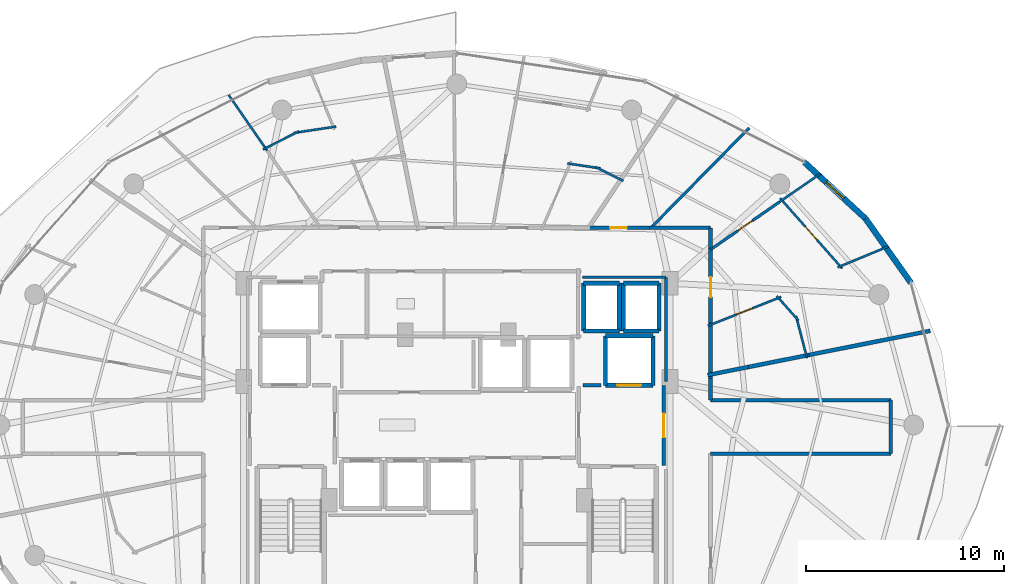
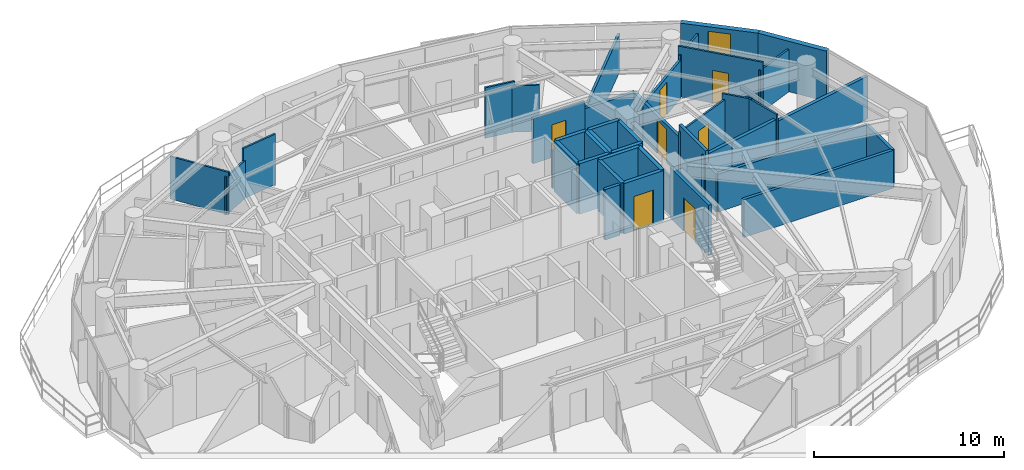
# One storey, part 24 of 29: 43 walls, 7 doors, 1 window, 8 openings.
"""IFC4 building model written with IfcOpenShell, lengths in metres."""

import ifcopenshell
import ifcopenshell.guid

model = None  # the IFC model being written
_history = None  # IfcOwnerHistory: only IFC2X3 demands one
_inside = {}  # id of a spatial element -> (the spatial element, [elements in it])
_under = {}  # id of a project, library or spatial element -> (it, [spatial elements below it])
_declared = {}  # id of a project -> (the project, [libraries it declares])
_typed = {}  # id of a type object -> (the type object, [elements of that type])
_made_of = {}  # id of a material, layer set ... -> (it, [elements and type objects made of it])


def new_model(schema):
    """Start an empty IFC model of exactly this schema.

    Asked for "IFC4X3", IfcOpenShell would pick the latest addendum, in which some entities
    have other attributes; the version numbers below select the first issue.
    IFC2X3 requires an IfcOwnerHistory on every rooted entity: one is made here for all.
    """
    global model, _history
    if schema == "IFC4X3":
        model = ifcopenshell.file(schema_version=(4, 3, 0, 0))
    else:
        model = ifcopenshell.file(schema=schema)
    _inside.clear()
    _under.clear()
    _declared.clear()
    _typed.clear()
    _made_of.clear()
    _history = None
    if model.schema == "IFC2X3":
        org = make("IfcOrganization", Name="unknown")
        user = make(
            "IfcPersonAndOrganization",
            ThePerson=make("IfcPerson", FamilyName="unknown"),
            TheOrganization=org,
        )
        app = make(
            "IfcApplication",
            ApplicationDeveloper=org,
            Version="unknown",
            ApplicationFullName="unknown",
            ApplicationIdentifier="unknown",
        )
        _history = make(
            "IfcOwnerHistory",
            OwningUser=user,
            OwningApplication=app,
            ChangeAction="ADDED",
            CreationDate=0,
        )
    return model


def make(cls, **values):
    """One entity of the class cls with the attributes given. An attribute that is None is left unset."""
    return model.create_entity(
        cls, **{name: value for name, value in values.items() if value is not None}
    )


def rooted(cls, **values):
    """An entity with a GlobalId (a new one), such as an element, a storey or a relation."""
    return make(cls, GlobalId=ifcopenshell.guid.new(), OwnerHistory=_history, **values)


def si_unit(unit_type, name, prefix=None):
    """IfcSIUnit, for example si_unit("LENGTHUNIT", "METRE", prefix="MILLI")."""
    return make("IfcSIUnit", UnitType=unit_type, Prefix=prefix, Name=name)


def assignment(units):
    """IfcUnitAssignment: the units of a project."""
    return None if units is None else make("IfcUnitAssignment", Units=units)


def point(xyz):
    """IfcCartesianPoint."""
    return None if xyz is None else make("IfcCartesianPoint", Coordinates=xyz)


def direction(xyz):
    """IfcDirection."""
    return None if xyz is None else make("IfcDirection", DirectionRatios=xyz)


def frame(location, z_axis=None, x_axis=None):
    """IfcAxis2Placement3D, a coordinate frame: its origin and axes. An axis left out is left unset."""
    return make(
        "IfcAxis2Placement3D",
        Location=point(location),
        Axis=direction(z_axis),
        RefDirection=direction(x_axis),
    )


def frame_2d(location, x_axis=None):
    """IfcAxis2Placement2D, a coordinate frame in the plane: its origin and x axis."""
    return make(
        "IfcAxis2Placement2D", Location=point(location), RefDirection=direction(x_axis)
    )


def origin():
    """The frame at (0, 0, 0) with its axes left unset."""
    return frame((0.0, 0.0, 0.0))


def place(relative_to, where):
    """IfcLocalPlacement: puts the frame where relative to a parent placement (None: the world)."""
    return make(
        "IfcLocalPlacement", PlacementRelTo=relative_to, RelativePlacement=where
    )


def context(
    kind, dimensions, precision=None, world=None, true_north=None, identifier=None
):
    """IfcGeometricRepresentationContext, for example the 3D "Model" context."""
    return make(
        "IfcGeometricRepresentationContext",
        ContextIdentifier=identifier,
        ContextType=kind,
        CoordinateSpaceDimension=dimensions,
        Precision=precision,
        WorldCoordinateSystem=world,
        TrueNorth=true_north,
    )


def subcontext(parent, identifier, kind, view, scale=None):
    """IfcGeometricRepresentationSubContext, for example "Body" below "Model"."""
    return make(
        "IfcGeometricRepresentationSubContext",
        ContextIdentifier=identifier,
        ContextType=kind,
        ParentContext=parent,
        TargetScale=scale,
        TargetView=view,
    )


def project(units=None, contexts=None):
    """IfcProject with its units and contexts."""
    return rooted(
        "IfcProject",
        Name="project",
        RepresentationContexts=contexts,
        UnitsInContext=assignment(units),
    )


def spatial(cls, under=None, at=None, **own):
    """A site, building, storey or space (cls), placed at a placement, below another one or the project."""
    s = rooted(cls, ObjectPlacement=at, **own)
    if under is not None:
        _under.setdefault(under.id(), (under, []))[1].append(s)
    return s


def profile(cls, at=None, kind="AREA", **sizes):
    """A parametric profile (cls). Its sizes go by their IFC names, for example OverallWidth=200.0."""
    return make(cls, ProfileType=kind, Position=at, **sizes)


def rectangle(**sizes):
    """IfcRectangleProfileDef."""
    return profile("IfcRectangleProfileDef", **sizes)


def extrude(swept, where, along, depth):
    """IfcExtrudedAreaSolid: the profile swept, set in the frame where, extruded along a direction by depth."""
    return make(
        "IfcExtrudedAreaSolid",
        SweptArea=swept,
        Position=where,
        ExtrudedDirection=direction(along),
        Depth=depth,
    )


def shape(context_of_items, identifier, shape_type, items):
    """IfcShapeRepresentation: the items that make up one representation, for example the "Body"."""
    return make(
        "IfcShapeRepresentation",
        ContextOfItems=context_of_items,
        RepresentationIdentifier=identifier,
        RepresentationType=shape_type,
        Items=items,
    )


def material(Name=None, Category=None):
    """IfcMaterial."""
    return make("IfcMaterial", Name=Name, Category=Category)


def layer(
    of_material, thickness, ventilated=None, Name=None, Category=None, Priority=None
):
    """IfcMaterialLayer: one layer of a wall or slab, of a material (None: an air gap)."""
    return make(
        "IfcMaterialLayer",
        Material=of_material,
        LayerThickness=thickness,
        IsVentilated=ventilated,
        Name=Name,
        Category=Category,
        Priority=Priority,
    )


def layer_set(layers, Name=None):
    """IfcMaterialLayerSet."""
    return make("IfcMaterialLayerSet", MaterialLayers=layers, LayerSetName=Name)


def made_of(thing, what):
    """Note that an element or type object is made of a material, layer set ...; save() writes the relation."""
    if what is not None:
        _made_of.setdefault(what.id(), (what, []))[1].append(thing)
    return thing


def type_object(cls, material=None, **own):
    """A type object (cls), such as IfcWallType, which elements share."""
    return made_of(rooted(cls, **own), material)


def element(
    cls,
    number,
    at=None,
    inside=None,
    cuts=None,
    type_object=None,
    material=None,
    context=None,
    identifier="Body",
    shape_type=None,
    held_by="IfcProductDefinitionShape",
    body=None,
    shapes=None,
    **own,
):
    """One element of the class cls, such as IfcWall. Its Tag is "e" and its number.

    at: its placement. inside: the storey or other place that contains it. cuts: it is an
    opening in that element (IfcRelVoidsElement). A single representation is given by context,
    identifier, shape_type and body (its items); several are given by shapes. held_by: the class
    of the entity that holds the representations. save() writes the other relations.
    """
    e = rooted(cls, Tag="e%d" % number, ObjectPlacement=at, **own)
    if body is not None:
        shapes = [shape(context, identifier, shape_type, body)]
    if shapes is not None:
        e.Representation = make(held_by, Representations=shapes)
    if inside is not None:
        _inside.setdefault(inside.id(), (inside, []))[1].append(e)
    if cuts is not None:
        rooted(
            "IfcRelVoidsElement", RelatingBuildingElement=cuts, RelatedOpeningElement=e
        )
    if type_object is not None:
        _typed.setdefault(type_object.id(), (type_object, []))[1].append(e)
    return made_of(e, material)


def fill(opening, filler):
    """IfcRelFillsElement: the door or window that sits in an opening."""
    return rooted(
        "IfcRelFillsElement",
        RelatingOpeningElement=opening,
        RelatedBuildingElement=filler,
    )


def aggregate(whole, parts):
    """IfcRelAggregates: a whole, such as a stair, and the parts it consists of."""
    return rooted("IfcRelAggregates", RelatingObject=whole, RelatedObjects=parts)


def save(model, path):
    """Write the relations noted so far, then the file.

    IfcRelAggregates (storeys below a building ...), IfcRelContainedInSpatialStructure (elements
    in a storey), IfcRelDefinesByType, IfcRelAssociatesMaterial and IfcRelDeclares: one each for
    every whole, place, type object, material and project.
    """
    for whole, parts in _under.values():
        aggregate(whole, parts)
    for where, things in _inside.values():
        rooted(
            "IfcRelContainedInSpatialStructure",
            RelatedElements=things,
            RelatingStructure=where,
        )
    for kind, things in _typed.values():
        rooted("IfcRelDefinesByType", RelatedObjects=things, RelatingType=kind)
    for what, things in _made_of.values():
        rooted("IfcRelAssociatesMaterial", RelatedObjects=things, RelatingMaterial=what)
    for by, libraries in _declared.values():
        rooted("IfcRelDeclares", RelatingContext=by, RelatedDefinitions=libraries)
    model.write(path)


model = new_model("IFC4")

# Units and contexts
model_context = context("Model", 3, precision=1e-05, world=origin(), true_north=direction((0.0, 1.0)))
body_context = subcontext(model_context, "Body", "Model", "MODEL_VIEW")
ifc_project = project(units=[si_unit("LENGTHUNIT", "METRE"), si_unit("AREAUNIT", "SQUARE_METRE"), si_unit("VOLUMEUNIT", "CUBIC_METRE"), si_unit("PLANEANGLEUNIT", "RADIAN"), si_unit("MASSUNIT", "GRAM", prefix="KILO")], contexts=[model_context])

# Site, building, storey
site_placement = place(None, origin())
site = spatial("IfcSite", under=ifc_project, at=site_placement, CompositionType="ELEMENT")
building_placement = place(site_placement, origin())
building = spatial("IfcBuilding", under=site, at=building_placement, Name="Vorneva Point Tower", CompositionType="ELEMENT")
storey_placement = place(building_placement, frame((0.0, 0.0, 150.10009765625)))
storey = spatial("IfcBuildingStorey", under=building, at=storey_placement, Name="L40", CompositionType="ELEMENT", Elevation=150.10009765625)

# Wall, opening, door
ifc_material_1 = material(Name="Concrete B60 (C50/60)", Category="concrete")
ifc_layer_1 = layer(ifc_material_1, 0.5)
ifc_layer_set_1 = layer_set([ifc_layer_1], Name="Concrete B60 (C50/60)")
wall_type_1 = type_object("IfcWallType", Name="WL-CORE-500", PredefinedType="SHEAR", material=ifc_layer_set_1)
wall_1_placement = place(storey_placement, frame((45.5, 28.0, 0.0), z_axis=(0.0, 0.0, 1.0), x_axis=(1.0, 0.0, 0.0)))
wall_1 = element("IfcWall", 1, at=wall_1_placement, inside=storey, type_object=wall_type_1, Name="L40 Lift FFL2 Shaft Wall -Y", PredefinedType="SHEAR", context=body_context, shape_type="SweptSolid", body=[
    extrude(rectangle(XDim=2.39990234375, YDim=0.219970703125, at=frame_2d((1.199951171875, 0.0))), origin(), (0.0, 0.0, 1.0), 3.239990234375),
])
opening_1_placement = place(wall_1_placement, frame((0.60009765625, 0.0, 0.0)))
opening_1 = element("IfcOpeningElement", 2, at=opening_1_placement, cuts=wall_1, Name="Opening LD-02", PredefinedType="OPENING", context=body_context, shape_type="SweptSolid", body=[
    extrude(rectangle(XDim=1.199951171875, YDim=2.199951171875, at=frame_2d((0.60009765625, 1.10009765625))), frame((0.0, 0.125, 0.0), z_axis=(0.0, -1.0, 0.0), x_axis=(1.0, 0.0, 0.0)), (0.0, 0.0, 1.0), 0.249755859375),
])
ifc_material_2 = material(Name="Brushed stainless steel S304", Category="steel")
door_type_1 = type_object("IfcDoorType", Name="LD-FIRE-1200", OperationType="SLIDING_TO_LEFT", PredefinedType="DOOR", material=ifc_material_2)
door_1_placement = place(opening_1_placement, origin())
door_1 = element("IfcDoor", 3, at=door_1_placement, inside=storey, type_object=door_type_1, Name="L40 Lift FFL2 Sliding Landing Door", OperationType="SLIDING_TO_LEFT", OverallHeight=2.199951171875, OverallWidth=1.199951171875, PredefinedType="DOOR", context=body_context, shape_type="SweptSolid", body=[
    extrude(rectangle(XDim=1.199951171875, YDim=2.199951171875, at=frame_2d((0.60009765625, 1.10009765625))), frame((0.0, 0.02490234375, 0.0), z_axis=(0.0, -1.0, 0.0), x_axis=(1.0, 0.0, 0.0)), (0.0, 0.0, 1.0), 0.050048828125),
])
fill(opening_1, door_1)

# Walls
wall_2_placement = place(storey_placement, frame((47.89990234375, 28.0, 0.0), z_axis=(0.0, 0.0, 1.0), x_axis=(0.0, 1.0, 0.0)))
element("IfcWall", 4, at=wall_2_placement, inside=storey, type_object=wall_type_1, Name="L40 Lift FFL2 Shaft Wall +X", PredefinedType="SHEAR", context=body_context, shape_type="SweptSolid", body=[
    extrude(rectangle(XDim=2.5, YDim=0.219970703125, at=frame_2d((1.25, 0.0))), origin(), (0.0, 0.0, 1.0), 3.239990234375),
])
wall_3_placement = place(storey_placement, frame((47.89990234375, 30.5, 0.0), z_axis=(0.0, 0.0, 1.0), x_axis=(-1.0, 0.0, 0.0)))
element("IfcWall", 5, at=wall_3_placement, inside=storey, type_object=wall_type_1, Name="L40 Lift FFL2 Shaft Wall +Y", PredefinedType="SHEAR", context=body_context, shape_type="SweptSolid", body=[
    extrude(rectangle(XDim=2.39990234375, YDim=0.219970703125, at=frame_2d((1.199951171875, 0.0))), origin(), (0.0, 0.0, 1.0), 3.239990234375),
])
wall_4_placement = place(storey_placement, frame((45.5, 30.5, 0.0), z_axis=(0.0, 0.0, 1.0), x_axis=(0.0, -1.0, 0.0)))
element("IfcWall", 6, at=wall_4_placement, inside=storey, type_object=wall_type_1, Name="L40 Lift FFL2 Shaft Wall -X", PredefinedType="SHEAR", context=body_context, shape_type="SweptSolid", body=[
    extrude(rectangle(XDim=2.5, YDim=0.219970703125, at=frame_2d((1.25, 0.0))), origin(), (0.0, 0.0, 1.0), 3.239990234375),
])
ifc_material_3 = material(Name="Precast concrete B50 (C40/50)", Category="concrete")
ifc_layer_2 = layer(ifc_material_3, 0.300048828125)
ifc_layer_set_2 = layer_set([ifc_layer_2], Name="Precast concrete B50 (C40/50)")
wall_type_2 = type_object("IfcWallType", Name="WL-EXT-300", PredefinedType="STANDARD", material=ifc_layer_set_2)
wall_5_placement = place(storey_placement, frame((60.912109375, 33.17529296875, 0.0), z_axis=(0.0, 0.0, 1.0), x_axis=(-0.577269753207, 0.816553508371, 0.0)))
element("IfcWall", 7, at=wall_5_placement, inside=storey, type_object=wall_type_2, Name="L40 Pale-Metal Facade Spandrel Wall 02.1", PredefinedType="STANDARD", context=body_context, shape_type="SweptSolid", body=[
    extrude(rectangle(XDim=3.969970703125, YDim=0.300048828125, at=frame_2d((1.98486328125, 0.0))), origin(), (0.0, 0.0, 1.0), 3.239990234375),
])

# Wall, opening, window
wall_6_placement = place(storey_placement, frame((58.620361328125, 36.4169921875, 0.0), z_axis=(0.0, 0.0, 1.0), x_axis=(-0.735477154165, 0.677549522693, 0.0)))
wall_6 = element("IfcWall", 8, at=wall_6_placement, inside=storey, type_object=wall_type_2, Name="L40 Pale-Metal Facade Spandrel Wall 02.2", PredefinedType="STANDARD", context=body_context, shape_type="SweptSolid", body=[
    extrude(rectangle(XDim=4.193603515625, YDim=0.300048828125, at=frame_2d((2.0966796875, 0.0))), origin(), (0.0, 0.0, 1.0), 3.239990234375),
])
opening_2_placement = place(wall_6_placement, frame((1.496826171875, 0.0, 0.85009765625)))
opening_2 = element("IfcOpeningElement", 9, at=opening_2_placement, cuts=wall_6, Name="Opening W-04", PredefinedType="OPENING", context=body_context, shape_type="SweptSolid", body=[
    extrude(rectangle(XDim=1.199951171875, YDim=2.10009765625, at=frame_2d((0.60009765625, 1.050048828125))), frame((0.0, 0.1650390625, 0.0), z_axis=(0.0, -1.0, 0.0), x_axis=(1.0, 0.0, 0.0)), (0.0, 0.0, 1.0), 0.329833984375),
])
ifc_material_4 = material(Name="Double low-e laminated glass IGU", Category="glass")
window_type = type_object("IfcWindowType", Name="WN-RES-1200", PartitioningType="SINGLE_PANEL", PredefinedType="WINDOW", material=ifc_material_4)
window_placement = place(opening_2_placement, origin())
window = element("IfcWindow", 10, at=window_placement, inside=storey, type_object=window_type, Name="L40 Facade Window 02", OverallHeight=2.10009765625, OverallWidth=1.199951171875, PartitioningType="SINGLE_PANEL", PredefinedType="WINDOW", context=body_context, shape_type="SweptSolid", body=[
    extrude(rectangle(XDim=1.199951171875, YDim=2.10009765625, at=frame_2d((0.60009765625, 1.050048828125))), frame((0.0, 0.030029296875, 0.0), z_axis=(0.0, -1.0, 0.0), x_axis=(1.0, 0.0, 0.0)), (0.0, 0.0, 1.0), 0.06005859375),
])
fill(opening_2, window)

# Wall, opening, door
ifc_material_5 = material(Name="Fire-rated acoustic gypsum stud partition", Category="gypsum")
ifc_layer_3 = layer(ifc_material_5, 0.110107421875)
ifc_layer_set_3 = layer_set([ifc_layer_3], Name="Fire-rated acoustic gypsum stud partition")
wall_type_3 = type_object("IfcWallType", Name="WL-PART-110", PredefinedType="PARTITIONING", material=ifc_layer_set_3)
wall_7_placement = place(storey_placement, frame((50.669921875, 31.002685546875, 0.0), z_axis=(0.0, 0.0, 1.0), x_axis=(0.930092731386, 0.367324803169, 0.0)))
wall_7 = element("IfcWall", 11, at=wall_7_placement, inside=storey, type_object=wall_type_3, Name="L40 Interior Partition 064", PredefinedType="PARTITIONING", context=body_context, shape_type="SweptSolid", body=[
    extrude(rectangle(XDim=3.968505859375, YDim=0.110107421875, at=frame_2d((1.984375, 0.0))), origin(), (0.0, 0.0, 1.0), 2.885986328125),
])
opening_3_placement = place(wall_7_placement, frame((1.559326171875, 0.0, 0.0)))
opening_3 = element("IfcOpeningElement", 12, at=opening_3_placement, cuts=wall_7, Name="Opening ID-02", PredefinedType="OPENING", context=body_context, shape_type="SweptSolid", body=[
    extrude(rectangle(XDim=0.85009765625, YDim=2.10009765625, at=frame_2d((0.425048828125, 1.050048828125))), frame((0.0, 0.06982421875, 0.0), z_axis=(0.0, -1.0, 0.0), x_axis=(1.0, 0.0, 0.0)), (0.0, 0.0, 1.0), 0.139892578125),
])
ifc_material_6 = material(Name="Engineered oak fire-rated door leaf", Category="wood")
door_type_2 = type_object("IfcDoorType", Name="DR-BATH-850", OperationType="NOTDEFINED", PredefinedType="DOOR", material=ifc_material_6)
door_2_placement = place(opening_3_placement, origin())
door_2 = element("IfcDoor", 13, at=door_2_placement, inside=storey, type_object=door_type_2, Name="L40 Door Living and Dining Room L40-01 / Bathroom L40-01", OperationType="SINGLE_SWING_LEFT", OverallHeight=2.10009765625, OverallWidth=0.85009765625, PredefinedType="DOOR", context=body_context, shape_type="SweptSolid", body=[
    extrude(rectangle(XDim=0.85009765625, YDim=2.10009765625, at=frame_2d((0.425048828125, 1.050048828125))), frame((0.0, 0.02490234375, 0.0), z_axis=(0.0, -1.0, 0.0), x_axis=(1.0, 0.0, 0.0)), (0.0, 0.0, 1.0), 0.050048828125),
])
fill(opening_3, door_2)

# Walls
wall_8_placement = place(storey_placement, frame((54.138427734375, 32.513916015625, 0.0), z_axis=(0.0, 0.0, 1.0), x_axis=(0.661645897528, -0.749816448396, 0.0)))
element("IfcWall", 14, at=wall_8_placement, inside=storey, type_object=wall_type_3, Name="L40 Interior Partition 065", PredefinedType="PARTITIONING", context=body_context, shape_type="SweptSolid", body=[
    extrude(rectangle(XDim=1.6640625, YDim=0.110107421875, at=frame_2d((0.83203125, 0.0))), origin(), (0.0, 0.0, 1.0), 3.239990234375),
])
wall_9_placement = place(storey_placement, frame((55.111328125, 31.50634765625, 0.0), z_axis=(0.0, 0.0, 1.0), x_axis=(0.254389812051, -0.967101764823, 0.0)))
element("IfcWall", 15, at=wall_9_placement, inside=storey, type_object=wall_type_3, Name="L40 Interior Partition 066", PredefinedType="PARTITIONING", context=body_context, shape_type="SweptSolid", body=[
    extrude(rectangle(XDim=2.206298828125, YDim=0.110107421875, at=frame_2d((1.10302734375, 0.0))), origin(), (0.0, 0.0, 1.0), 3.239990234375),
])
wall_10_placement = place(storey_placement, frame((59.7783203125, 35.012451171875, 0.0), z_axis=(0.0, 0.0, 1.0), x_axis=(-0.924067287951, -0.382229835751, 0.0)))
element("IfcWall", 16, at=wall_10_placement, inside=storey, type_object=wall_type_3, Name="L40 Interior Partition 067", PredefinedType="PARTITIONING", context=body_context, shape_type="SweptSolid", body=[
    extrude(rectangle(XDim=2.770263671875, YDim=0.110107421875, at=frame_2d((1.38525390625, 0.0))), origin(), (0.0, 0.0, 1.0), 2.727783203125),
])

# Wall, opening, door
wall_11_placement = place(storey_placement, frame((57.440673828125, 33.902099609375, 0.0), z_axis=(0.0, 0.0, 1.0), x_axis=(-0.662122223318, 0.749395864272, 0.0)))
wall_11 = element("IfcWall", 17, at=wall_11_placement, inside=storey, type_object=wall_type_3, Name="L40 Interior Partition 068", PredefinedType="PARTITIONING", context=body_context, shape_type="SweptSolid", body=[
    extrude(rectangle(XDim=4.724853515625, YDim=0.110107421875, at=frame_2d((2.3623046875, 0.0))), origin(), (0.0, 0.0, 1.0), 3.239990234375),
])
opening_4_placement = place(wall_11_placement, frame((1.912353515625, 0.0, 0.0)))
opening_4 = element("IfcOpeningElement", 18, at=opening_4_placement, cuts=wall_11, Name="Opening ID-01", PredefinedType="OPENING", context=body_context, shape_type="SweptSolid", body=[
    extrude(rectangle(XDim=0.89990234375, YDim=2.10009765625, at=frame_2d((0.449951171875, 1.050048828125))), frame((0.0, 0.06982421875, 0.0), z_axis=(0.0, -1.0, 0.0), x_axis=(1.0, 0.0, 0.0)), (0.0, 0.0, 1.0), 0.139892578125),
])
door_type_3 = type_object("IfcDoorType", Name="DR-ROOM-900", OperationType="NOTDEFINED", PredefinedType="DOOR", material=ifc_material_6)
door_3_placement = place(opening_4_placement, origin())
door_3 = element("IfcDoor", 19, at=door_3_placement, inside=storey, type_object=door_type_3, Name="L40 Door Living and Dining Room L40-01 / Kitchen L40-01", OperationType="SINGLE_SWING_RIGHT", OverallHeight=2.10009765625, OverallWidth=0.89990234375, PredefinedType="DOOR", context=body_context, shape_type="SweptSolid", body=[
    extrude(rectangle(XDim=0.89990234375, YDim=2.10009765625, at=frame_2d((0.449951171875, 1.050048828125))), frame((0.0, 0.02490234375, 0.0), z_axis=(0.0, -1.0, 0.0), x_axis=(1.0, 0.0, 0.0)), (0.0, 0.0, 1.0), 0.050048828125),
])
fill(opening_4, door_3)

# Walls
wall_12_placement = place(storey_placement, frame((54.289794921875, 37.25830078125, 0.0), z_axis=(0.0, 0.0, 1.0), x_axis=(0.822632807799, 0.568573006335, 0.0)))
element("IfcWall", 20, at=wall_12_placement, inside=storey, type_object=wall_type_3, Name="L40 Interior Partition 069", PredefinedType="PARTITIONING", context=body_context, shape_type="SweptSolid", body=[
    extrude(rectangle(XDim=2.511962890625, YDim=0.110107421875, at=frame_2d((1.255859375, 0.0))), origin(), (0.0, 0.0, 1.0), 2.727783203125),
])
wall_13_placement = place(storey_placement, frame((43.57861328125, 39.19677734375, 0.0), z_axis=(0.0, 0.0, 1.0), x_axis=(0.988928896576, -0.148390153032, 0.0)))
element("IfcWall", 21, at=wall_13_placement, inside=storey, type_object=wall_type_3, Name="L40 Interior Partition 077", PredefinedType="PARTITIONING", context=body_context, shape_type="SweptSolid", body=[
    extrude(rectangle(XDim=1.681396484375, YDim=0.110107421875, at=frame_2d((0.8408203125, 0.0))), origin(), (0.0, 0.0, 1.0), 3.239990234375),
])
wall_14_placement = place(storey_placement, frame((44.97802734375, 39.03125, 0.0), z_axis=(0.0, 0.0, 1.0), x_axis=(0.892388427115, -0.451268096758, 0.0)))
element("IfcWall", 22, at=wall_14_placement, inside=storey, type_object=wall_type_3, Name="L40 Interior Partition 078", PredefinedType="PARTITIONING", context=body_context, shape_type="SweptSolid", body=[
    extrude(rectangle(XDim=1.587890625, YDim=0.110107421875, at=frame_2d((0.7939453125, 0.0))), origin(), (0.0, 0.0, 1.0), 2.971923828125),
])
wall_15_placement = place(storey_placement, frame((31.915283203125, 41.056884765625, 0.0), z_axis=(0.0, 0.0, 1.0), x_axis=(-0.98883996758, -0.148981604626, 0.0)))
element("IfcWall", 23, at=wall_15_placement, inside=storey, type_object=wall_type_3, Name="L40 Interior Partition 090", PredefinedType="PARTITIONING", context=body_context, shape_type="SweptSolid", body=[
    extrude(rectangle(XDim=2.159912109375, YDim=0.110107421875, at=frame_2d((1.080078125, 0.0))), origin(), (0.0, 0.0, 1.0), 3.239990234375),
])
wall_16_placement = place(storey_placement, frame((30.04296875, 40.819091796875, 0.0), z_axis=(0.0, 0.0, 1.0), x_axis=(-0.892695055898, -0.450661222179, 0.0)))
element("IfcWall", 24, at=wall_16_placement, inside=storey, type_object=wall_type_3, Name="L40 Interior Partition 091", PredefinedType="PARTITIONING", context=body_context, shape_type="SweptSolid", body=[
    extrude(rectangle(XDim=2.03759765625, YDim=0.110107421875, at=frame_2d((1.018798828125, 0.0))), origin(), (0.0, 0.0, 1.0), 2.431884765625),
])
wall_17_placement = place(storey_placement, frame((28.4287109375, 39.848876953125, 0.0), z_axis=(0.0, 0.0, 1.0), x_axis=(-0.568554374161, 0.822645685349, 0.0)))
element("IfcWall", 25, at=wall_17_placement, inside=storey, type_object=wall_type_3, Name="L40 Interior Partition 092", PredefinedType="PARTITIONING", context=body_context, shape_type="SweptSolid", body=[
    extrude(rectangle(XDim=3.408935546875, YDim=0.110107421875, at=frame_2d((1.70458984375, 0.0))), origin(), (0.0, 0.0, 1.0), 2.727783203125),
])

# Wall, opening, door
ifc_layer_4 = layer(ifc_material_5, 0.139892578125)
ifc_layer_set_4 = layer_set([ifc_layer_4], Name="Fire-rated acoustic gypsum stud partition")
wall_type_4 = type_object("IfcWallType", Name="WL-PART-140", PredefinedType="PARTITIONING", material=ifc_layer_set_4)
wall_18_placement = place(storey_placement, frame((54.289794921875, 37.258544921875, 0.0), z_axis=(0.0, 0.0, 1.0), x_axis=(-0.822672586971, -0.568515448027, 0.0)))
wall_18 = element("IfcWall", 26, at=wall_18_placement, inside=storey, type_object=wall_type_4, Name="L40 Interior Partition 070", PredefinedType="PARTITIONING", context=body_context, shape_type="SweptSolid", body=[
    extrude(rectangle(XDim=4.241943359375, YDim=0.139892578125, at=frame_2d((2.12109375, 0.0))), origin(), (0.0, 0.0, 1.0), 2.431884765625),
])
opening_5_placement = place(wall_18_placement, frame((1.6708984375, 0.0, 0.0)))
opening_5 = element("IfcOpeningElement", 27, at=opening_5_placement, cuts=wall_18, Name="Opening ID-01", PredefinedType="OPENING", context=body_context, shape_type="SweptSolid", body=[
    extrude(rectangle(XDim=0.89990234375, YDim=2.10009765625, at=frame_2d((0.449951171875, 1.050048828125))), frame((0.0, 0.0849609375, 0.0), z_axis=(0.0, -1.0, 0.0), x_axis=(1.0, 0.0, 0.0)), (0.0, 0.0, 1.0), 0.169677734375),
])
door_4_placement = place(opening_5_placement, origin())
door_4 = element("IfcDoor", 28, at=door_4_placement, inside=storey, type_object=door_type_3, Name="L40 Door Living and Dining Room L40-01 / Master Bedroom L40-01.1", OperationType="SINGLE_SWING_LEFT", OverallHeight=2.10009765625, OverallWidth=0.89990234375, PredefinedType="DOOR", context=body_context, shape_type="SweptSolid", body=[
    extrude(rectangle(XDim=0.89990234375, YDim=2.10009765625, at=frame_2d((0.449951171875, 1.050048828125))), frame((0.0, 0.02490234375, 0.0), z_axis=(0.0, -1.0, 0.0), x_axis=(1.0, 0.0, 0.0)), (0.0, 0.0, 1.0), 0.050048828125),
])
fill(opening_5, door_4)

# Walls
wall_19_placement = place(storey_placement, frame((52.7509765625, 40.985107421875, 0.0), z_axis=(0.0, 0.0, 1.0), x_axis=(-0.701486551238, -0.712682691268, 0.0)))
element("IfcWall", 29, at=wall_19_placement, inside=storey, type_object=wall_type_4, Name="L40 Interior Partition 074", PredefinedType="PARTITIONING", context=body_context, shape_type="SweptSolid", body=[
    extrude(rectangle(XDim=7.065185546875, YDim=0.139892578125, at=frame_2d((3.53271484375, 0.0))), origin(), (0.0, 0.0, 1.0), 2.431884765625),
])
wall_20_placement = place(storey_placement, frame((48.550048828125, 28.196044921875, 0.0), z_axis=(0.0, 0.0, 1.0), x_axis=(0.0, 1.0, 0.0)))
element("IfcWall", 30, at=wall_20_placement, inside=storey, type_object=wall_type_4, Name="L40 Interior Closure Partition 146", PredefinedType="PARTITIONING", context=body_context, shape_type="SweptSolid", body=[
    extrude(rectangle(XDim=5.25390625, YDim=0.139892578125, at=frame_2d((2.626953125, 0.0))), origin(), (0.0, 0.0, 1.0), 2.431884765625),
])
wall_21_placement = place(storey_placement, frame((48.550048828125, 33.449951171875, 0.0), z_axis=(0.0, 0.0, 1.0), x_axis=(-1.0, 0.0, 0.0)))
element("IfcWall", 31, at=wall_21_placement, inside=storey, type_object=wall_type_4, Name="L40 Interior Closure Partition 147", PredefinedType="PARTITIONING", context=body_context, shape_type="SweptSolid", body=[
    extrude(rectangle(XDim=4.2099609375, YDim=0.139892578125, at=frame_2d((2.10498046875, 0.0))), origin(), (0.0, 0.0, 1.0), 2.431884765625),
])

# Wall, opening, door
ifc_material_7 = material(Name="Autoclaved aerated concrete blockwork", Category="masonry")
ifc_layer_5 = layer(ifc_material_7, 0.179931640625)
ifc_layer_set_5 = layer_set([ifc_layer_5], Name="Autoclaved aerated concrete blockwork")
wall_type_5 = type_object("IfcWallType", Name="WL-PART-180", PredefinedType="PARTITIONING", material=ifc_layer_set_5)
wall_22_placement = place(storey_placement, frame((48.449951171875, 23.949951171875, 0.0), z_axis=(0.0, 0.0, 1.0), x_axis=(0.0, 1.0, 0.0)))
wall_22 = element("IfcWall", 32, at=wall_22_placement, inside=storey, type_object=wall_type_5, Name="L40 Interior Partition 005", PredefinedType="PARTITIONING", context=body_context, shape_type="SweptSolid", body=[
    extrude(rectangle(XDim=4.050048828125, YDim=0.179931640625, at=frame_2d((2.02490234375, 0.0))), origin(), (0.0, 0.0, 1.0), 3.239990234375),
])
opening_6_placement = place(wall_22_placement, frame((1.425048828125, 0.0, 0.0)))
opening_6 = element("IfcOpeningElement", 33, at=opening_6_placement, cuts=wall_22, Name="Opening FD-02", PredefinedType="OPENING", context=body_context, shape_type="SweptSolid", body=[
    extrude(rectangle(XDim=1.199951171875, YDim=2.14990234375, at=frame_2d((0.60009765625, 1.074951171875))), frame((0.0, 0.10498046875, 0.0), z_axis=(0.0, -1.0, 0.0), x_axis=(1.0, 0.0, 0.0)), (0.0, 0.0, 1.0), 0.209716796875),
])
ifc_material_8 = material(Name="Fire-rated powder-coated steel", Category="steel")
door_type_4 = type_object("IfcDoorType", Name="DR-FFL-1200", OperationType="NOTDEFINED", PredefinedType="DOOR", material=ifc_material_8)
door_5_placement = place(opening_6_placement, origin())
door_5 = element("IfcDoor", 34, at=door_5_placement, inside=storey, type_object=door_type_4, Name="L40 Door East Firefighting Lobby / L40 Circulation Corridor", OperationType="SINGLE_SWING_LEFT", OverallHeight=2.14990234375, OverallWidth=1.199951171875, PredefinedType="DOOR", context=body_context, shape_type="SweptSolid", body=[
    extrude(rectangle(XDim=1.199951171875, YDim=2.14990234375, at=frame_2d((0.60009765625, 1.074951171875))), frame((0.0, 0.02490234375, 0.0), z_axis=(0.0, -1.0, 0.0), x_axis=(1.0, 0.0, 0.0)), (0.0, 0.0, 1.0), 0.050048828125),
])
fill(opening_6, door_5)

wall_23_placement = place(storey_placement, frame((50.800048828125, 30.993896484375, 0.0), z_axis=(0.0, 0.0, 1.0), x_axis=(0.0, 1.0, 0.0)))
wall_23 = element("IfcWall", 35, at=wall_23_placement, inside=storey, type_object=wall_type_5, Name="L40 Interior Partition 026", PredefinedType="PARTITIONING", context=body_context, shape_type="SweptSolid", body=[
    extrude(rectangle(XDim=3.926025390625, YDim=0.179931640625, at=frame_2d((1.962890625, 0.0))), origin(), (0.0, 0.0, 1.0), 2.431884765625),
])
opening_7_placement = place(wall_23_placement, frame((1.462890625, 0.0, 0.0)))
opening_7 = element("IfcOpeningElement", 36, at=opening_7_placement, cuts=wall_23, Name="Opening UD-01", PredefinedType="OPENING", context=body_context, shape_type="SweptSolid", body=[
    extrude(rectangle(XDim=1.0, YDim=2.14990234375, at=frame_2d((0.5, 1.074951171875))), frame((0.0, 0.10498046875, 0.0), z_axis=(0.0, -1.0, 0.0), x_axis=(1.0, 0.0, 0.0)), (0.0, 0.0, 1.0), 0.209716796875),
])
door_type_5 = type_object("IfcDoorType", Name="DR-UNIT-1000", OperationType="NOTDEFINED", PredefinedType="DOOR", material=ifc_material_6)
door_6_placement = place(opening_7_placement, origin())
door_6 = element("IfcDoor", 37, at=door_6_placement, inside=storey, type_object=door_type_5, Name="L40 Door L40 Circulation Corridor / Living and Dining Room L40-01", OperationType="SINGLE_SWING_RIGHT", OverallHeight=2.14990234375, OverallWidth=1.0, PredefinedType="DOOR", context=body_context, shape_type="SweptSolid", body=[
    extrude(rectangle(XDim=1.0, YDim=2.14990234375, at=frame_2d((0.5, 1.074951171875))), frame((0.0, 0.02490234375, 0.0), z_axis=(0.0, -1.0, 0.0), x_axis=(1.0, 0.0, 0.0)), (0.0, 0.0, 1.0), 0.050048828125),
])
fill(opening_7, door_6)

# Walls
wall_24_placement = place(storey_placement, frame((50.800048828125, 28.345947265625, 0.0), z_axis=(0.0, 0.0, 1.0), x_axis=(0.0, 1.0, 0.0)))
element("IfcWall", 38, at=wall_24_placement, inside=storey, type_object=wall_type_5, Name="L40 Interior Partition 027", PredefinedType="PARTITIONING", context=body_context, shape_type="SweptSolid", body=[
    extrude(rectangle(XDim=2.7880859375, YDim=0.179931640625, at=frame_2d((1.39404296875, 0.0))), origin(), (0.0, 0.0, 1.0), 3.239990234375),
])
wall_25_placement = place(storey_placement, frame((50.800048828125, 34.919921875, 0.0), z_axis=(0.0, 0.0, 1.0), x_axis=(0.0, 1.0, 0.0)))
element("IfcWall", 39, at=wall_25_placement, inside=storey, type_object=wall_type_5, Name="L40 Interior Partition 028", PredefinedType="PARTITIONING", context=body_context, shape_type="SweptSolid", body=[
    extrude(rectangle(XDim=1.030029296875, YDim=0.179931640625, at=frame_2d((0.51513671875, 0.0))), origin(), (0.0, 0.0, 1.0), 2.431884765625),
])
wall_26_placement = place(storey_placement, frame((50.800048828125, 35.949951171875, 0.0), z_axis=(0.0, 0.0, 1.0), x_axis=(-1.0, 0.0, 0.0)))
element("IfcWall", 40, at=wall_26_placement, inside=storey, type_object=wall_type_5, Name="L40 Interior Partition 029", PredefinedType="PARTITIONING", context=body_context, shape_type="SweptSolid", body=[
    extrude(rectangle(XDim=3.06494140625, YDim=0.179931640625, at=frame_2d((1.532470703125, 0.0))), origin(), (0.0, 0.0, 1.0), 2.431884765625),
])

# Wall, opening, door
wall_27_placement = place(storey_placement, frame((47.735107421875, 35.949951171875, 0.0), z_axis=(0.0, 0.0, 1.0), x_axis=(-1.0, 0.0, 0.0)))
wall_27 = element("IfcWall", 41, at=wall_27_placement, inside=storey, type_object=wall_type_5, Name="L40 Interior Partition 030", PredefinedType="PARTITIONING", context=body_context, shape_type="SweptSolid", body=[
    extrude(rectangle(XDim=3.147216796875, YDim=0.179931640625, at=frame_2d((1.57373046875, 0.0))), origin(), (0.0, 0.0, 1.0), 2.885986328125),
])
opening_8_placement = place(wall_27_placement, frame((1.1484375, 0.0, 0.0)))
opening_8 = element("IfcOpeningElement", 42, at=opening_8_placement, cuts=wall_27, Name="Opening ID-02", PredefinedType="OPENING", context=body_context, shape_type="SweptSolid", body=[
    extrude(rectangle(XDim=0.85009765625, YDim=2.10009765625, at=frame_2d((0.425048828125, 1.050048828125))), frame((0.0, 0.10498046875, 0.0), z_axis=(0.0, -1.0, 0.0), x_axis=(1.0, 0.0, 0.0)), (0.0, 0.0, 1.0), 0.209716796875),
])
door_7_placement = place(opening_8_placement, origin())
door_7 = element("IfcDoor", 43, at=door_7_placement, inside=storey, type_object=door_type_2, Name="L40 Access Door L40 Circulation Corridor", OperationType="SINGLE_SWING_LEFT", OverallHeight=2.10009765625, OverallWidth=0.85009765625, PredefinedType="DOOR", context=body_context, shape_type="SweptSolid", body=[
    extrude(rectangle(XDim=0.85009765625, YDim=2.10009765625, at=frame_2d((0.425048828125, 1.050048828125))), frame((0.0, 0.02490234375, 0.0), z_axis=(0.0, -1.0, 0.0), x_axis=(1.0, 0.0, 0.0)), (0.0, 0.0, 1.0), 0.050048828125),
])
fill(opening_8, door_7)

# Walls
wall_28_placement = place(storey_placement, frame((50.800048828125, 24.550048828125, 0.0), z_axis=(0.0, 0.0, 1.0), x_axis=(1.0, 0.0, 0.0)))
element("IfcWall", 44, at=wall_28_placement, inside=storey, type_object=wall_type_5, Name="L40 Interior Partition 060", PredefinedType="PARTITIONING", context=body_context, shape_type="SweptSolid", body=[
    extrude(rectangle(XDim=9.099853515625, YDim=0.179931640625, at=frame_2d((4.5498046875, 0.0))), origin(), (0.0, 0.0, 1.0), 2.431884765625),
])
wall_29_placement = place(storey_placement, frame((59.89990234375, 24.550048828125, 0.0), z_axis=(0.0, 0.0, 1.0), x_axis=(0.0, 1.0, 0.0)))
element("IfcWall", 45, at=wall_29_placement, inside=storey, type_object=wall_type_5, Name="L40 Interior Partition 061", PredefinedType="PARTITIONING", context=body_context, shape_type="SweptSolid", body=[
    extrude(rectangle(XDim=2.699951171875, YDim=0.179931640625, at=frame_2d((1.35009765625, 0.0))), origin(), (0.0, 0.0, 1.0), 2.431884765625),
])
wall_30_placement = place(storey_placement, frame((59.89990234375, 27.25, 0.0), z_axis=(0.0, 0.0, 1.0), x_axis=(-1.0, 0.0, 0.0)))
element("IfcWall", 46, at=wall_30_placement, inside=storey, type_object=wall_type_5, Name="L40 Interior Partition 062", PredefinedType="PARTITIONING", context=body_context, shape_type="SweptSolid", body=[
    extrude(rectangle(XDim=9.099853515625, YDim=0.179931640625, at=frame_2d((4.5498046875, 0.0))), origin(), (0.0, 0.0, 1.0), 2.431884765625),
])
wall_31_placement = place(storey_placement, frame((50.800048828125, 27.25, 0.0), z_axis=(0.0, 0.0, 1.0), x_axis=(0.0, 1.0, 0.0)))
element("IfcWall", 47, at=wall_31_placement, inside=storey, type_object=wall_type_5, Name="L40 Interior Partition 063", PredefinedType="PARTITIONING", context=body_context, shape_type="SweptSolid", body=[
    extrude(rectangle(XDim=1.095947265625, YDim=0.179931640625, at=frame_2d((0.5478515625, 0.0))), origin(), (0.0, 0.0, 1.0), 2.431884765625),
])
wall_32_placement = place(storey_placement, frame((45.280029296875, 28.0, 0.0), z_axis=(0.0, 0.0, 1.0), x_axis=(-1.0, 0.0, 0.0)))
element("IfcWall", 48, at=wall_32_placement, inside=storey, type_object=wall_type_5, Name="L40 Interior Closure Partition 137", PredefinedType="PARTITIONING", context=body_context, shape_type="SweptSolid", body=[
    extrude(rectangle(XDim=0.9150390625, YDim=0.179931640625, at=frame_2d((0.45751953125, 0.0))), origin(), (0.0, 0.0, 1.0), 3.239990234375),
])
ifc_layer_6 = layer(ifc_material_7, 0.199951171875)
ifc_layer_set_6 = layer_set([ifc_layer_6], Name="Autoclaved aerated concrete blockwork")
wall_type_6 = type_object("IfcWallType", Name="WL-PART-200", PredefinedType="PARTITIONING", material=ifc_layer_set_6)
wall_33_placement = place(storey_placement, frame((55.636962890625, 29.508056640625, 0.0), z_axis=(0.0, 0.0, 1.0), x_axis=(0.98077041661, 0.19516503248, 0.0)))
element("IfcWall", 49, at=wall_33_placement, inside=storey, type_object=wall_type_6, Name="L40 Interior Partition 071", PredefinedType="PARTITIONING", context=body_context, shape_type="SweptSolid", body=[
    extrude(rectangle(XDim=6.36865234375, YDim=0.199951171875, at=frame_2d((3.184326171875, 0.0))), origin(), (0.0, 0.0, 1.0), 2.727783203125),
])
wall_34_placement = place(storey_placement, frame((52.57373046875, 28.898681640625, 0.0), z_axis=(0.0, 0.0, 1.0), x_axis=(0.980781574696, 0.195108950939, 0.0)))
element("IfcWall", 50, at=wall_34_placement, inside=storey, type_object=wall_type_6, Name="L40 Interior Partition 072", PredefinedType="PARTITIONING", context=body_context, shape_type="SweptSolid", body=[
    extrude(rectangle(XDim=3.263427734375, YDim=0.199951171875, at=frame_2d((1.6318359375, 0.0))), origin(), (0.0, 0.0, 1.0), 2.885986328125),
])
wall_35_placement = place(storey_placement, frame((50.66259765625, 28.518798828125, 0.0), z_axis=(0.0, 0.0, 1.0), x_axis=(0.980804842296, 0.194991951961, 0.0)))
element("IfcWall", 51, at=wall_35_placement, inside=storey, type_object=wall_type_6, Name="L40 Interior Partition 073", PredefinedType="PARTITIONING", context=body_context, shape_type="SweptSolid", body=[
    extrude(rectangle(XDim=2.08837890625, YDim=0.199951171875, at=frame_2d((1.044189453125, 0.0))), origin(), (0.0, 0.0, 1.0), 2.885986328125),
])
ifc_material_9 = material(Name="Concrete B50 (C40/50)", Category="concrete")
ifc_layer_7 = layer(ifc_material_9, 0.219970703125)
ifc_layer_set_7 = layer_set([ifc_layer_7], Name="Concrete B50 (C40/50)")
wall_type_7 = type_object("IfcWallType", Name="WL-SHFT-220", PredefinedType="SOLIDWALL", material=ifc_layer_set_7)
wall_36_placement = place(storey_placement, frame((44.39990234375, 30.739990234375, 0.0), z_axis=(0.0, 0.0, 1.0), x_axis=(1.0, 0.0, 0.0)))
element("IfcWall", 52, at=wall_36_placement, inside=storey, type_object=wall_type_7, Name="L40 Lift EX1 Shaft Wall -Y", PredefinedType="SOLIDWALL", context=body_context, shape_type="SweptSolid", body=[
    extrude(rectangle(XDim=1.800048828125, YDim=0.219970703125, at=frame_2d((0.89990234375, 0.0))), origin(), (0.0, 0.0, 1.0), 3.239990234375),
])
wall_37_placement = place(storey_placement, frame((46.199951171875, 30.739990234375, 0.0), z_axis=(0.0, 0.0, 1.0), x_axis=(0.0, 1.0, 0.0)))
element("IfcWall", 53, at=wall_37_placement, inside=storey, type_object=wall_type_7, Name="L40 Lift EX1 Shaft Wall +X", PredefinedType="SOLIDWALL", context=body_context, shape_type="SweptSolid", body=[
    extrude(rectangle(XDim=2.419921875, YDim=0.219970703125, at=frame_2d((1.2099609375, 0.0))), origin(), (0.0, 0.0, 1.0), 3.239990234375),
])
wall_38_placement = place(storey_placement, frame((46.199951171875, 33.159912109375, 0.0), z_axis=(0.0, 0.0, 1.0), x_axis=(-1.0, 0.0, 0.0)))
element("IfcWall", 54, at=wall_38_placement, inside=storey, type_object=wall_type_7, Name="L40 Lift EX1 Shaft Wall +Y", PredefinedType="SOLIDWALL", context=body_context, shape_type="SweptSolid", body=[
    extrude(rectangle(XDim=1.800048828125, YDim=0.219970703125, at=frame_2d((0.89990234375, 0.0))), origin(), (0.0, 0.0, 1.0), 3.239990234375),
])
wall_39_placement = place(storey_placement, frame((44.39990234375, 33.159912109375, 0.0), z_axis=(0.0, 0.0, 1.0), x_axis=(0.0, -1.0, 0.0)))
element("IfcWall", 55, at=wall_39_placement, inside=storey, type_object=wall_type_7, Name="L40 Lift EX1 Shaft Wall -X", PredefinedType="SOLIDWALL", context=body_context, shape_type="SweptSolid", body=[
    extrude(rectangle(XDim=2.419921875, YDim=0.219970703125, at=frame_2d((1.2099609375, 0.0))), origin(), (0.0, 0.0, 1.0), 3.239990234375),
])
wall_40_placement = place(storey_placement, frame((46.39990234375, 30.739990234375, 0.0), z_axis=(0.0, 0.0, 1.0), x_axis=(1.0, 0.0, 0.0)))
element("IfcWall", 56, at=wall_40_placement, inside=storey, type_object=wall_type_7, Name="L40 Lift EX2 Shaft Wall -Y", PredefinedType="SOLIDWALL", context=body_context, shape_type="SweptSolid", body=[
    extrude(rectangle(XDim=1.800048828125, YDim=0.219970703125, at=frame_2d((0.89990234375, 0.0))), origin(), (0.0, 0.0, 1.0), 3.239990234375),
])
wall_41_placement = place(storey_placement, frame((48.199951171875, 30.739990234375, 0.0), z_axis=(0.0, 0.0, 1.0), x_axis=(0.0, 1.0, 0.0)))
element("IfcWall", 57, at=wall_41_placement, inside=storey, type_object=wall_type_7, Name="L40 Lift EX2 Shaft Wall +X", PredefinedType="SOLIDWALL", context=body_context, shape_type="SweptSolid", body=[
    extrude(rectangle(XDim=2.419921875, YDim=0.219970703125, at=frame_2d((1.2099609375, 0.0))), origin(), (0.0, 0.0, 1.0), 3.239990234375),
])
wall_42_placement = place(storey_placement, frame((48.199951171875, 33.159912109375, 0.0), z_axis=(0.0, 0.0, 1.0), x_axis=(-1.0, 0.0, 0.0)))
element("IfcWall", 58, at=wall_42_placement, inside=storey, type_object=wall_type_7, Name="L40 Lift EX2 Shaft Wall +Y", PredefinedType="SOLIDWALL", context=body_context, shape_type="SweptSolid", body=[
    extrude(rectangle(XDim=1.800048828125, YDim=0.219970703125, at=frame_2d((0.89990234375, 0.0))), origin(), (0.0, 0.0, 1.0), 3.239990234375),
])
wall_43_placement = place(storey_placement, frame((46.39990234375, 33.159912109375, 0.0), z_axis=(0.0, 0.0, 1.0), x_axis=(0.0, -1.0, 0.0)))
element("IfcWall", 59, at=wall_43_placement, inside=storey, type_object=wall_type_7, Name="L40 Lift EX2 Shaft Wall -X", PredefinedType="SOLIDWALL", context=body_context, shape_type="SweptSolid", body=[
    extrude(rectangle(XDim=2.419921875, YDim=0.219970703125, at=frame_2d((1.2099609375, 0.0))), origin(), (0.0, 0.0, 1.0), 3.239990234375),
])

save(model, "model.ifc")
